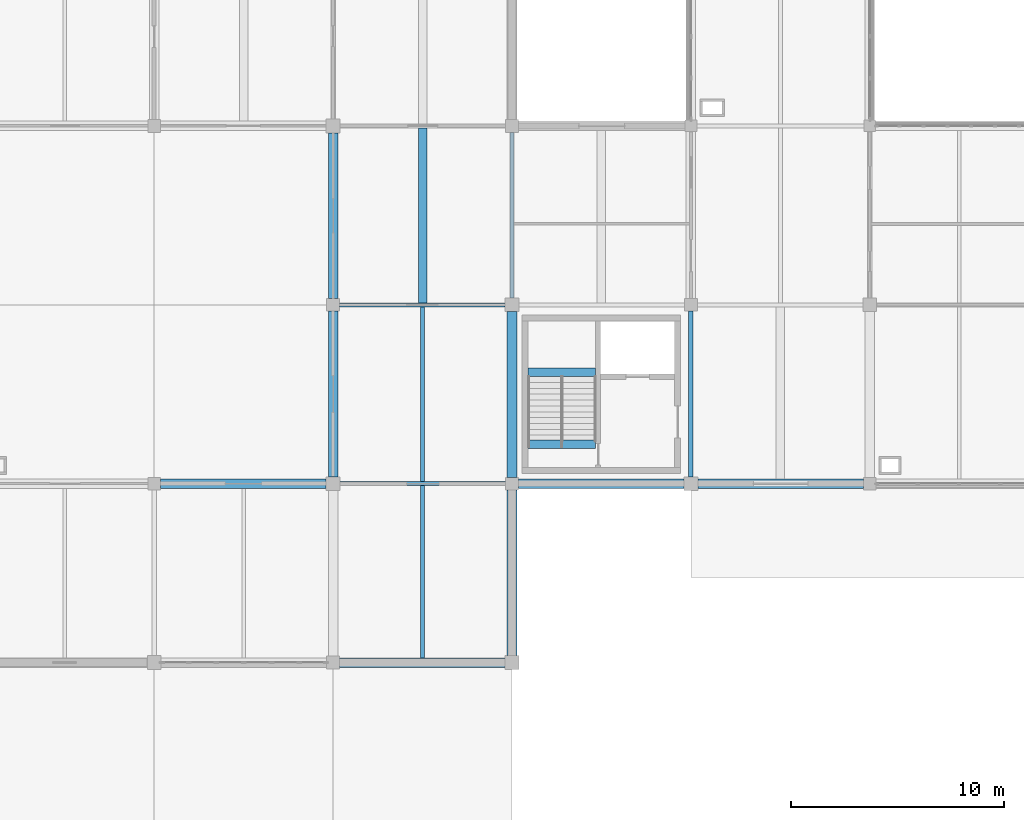
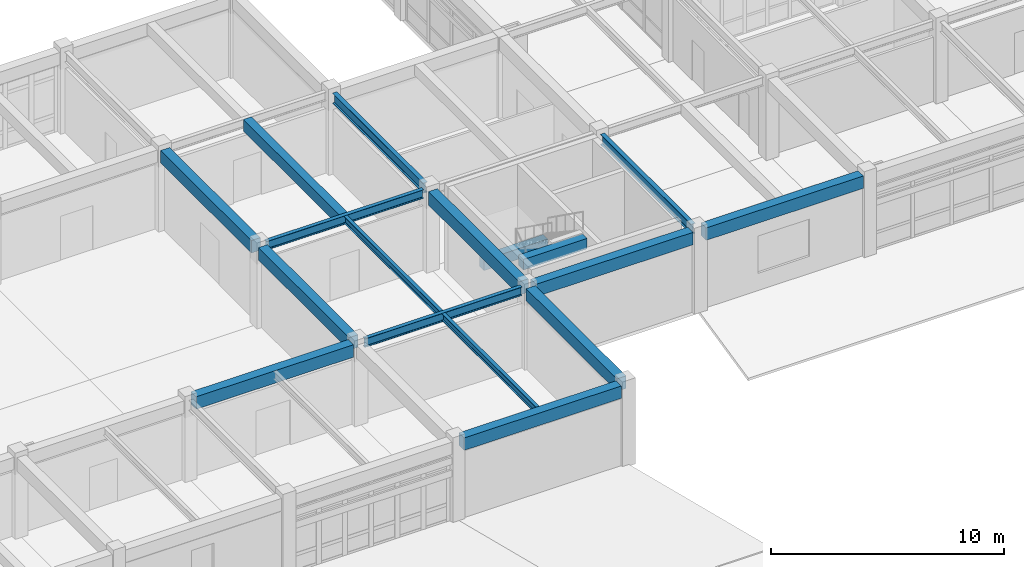
# One storey, part 8 of 78: 17 beams.
"""IFC4 building model written with IfcOpenShell, lengths in metres."""

from ifc_helpers import new_model, si_unit, direction, frame, origin, origin_2d, place, context, subcontext, project, spatial, rectangle, i_section, extrude, material, material_profile, profile_set, type_object, element, save


model = new_model("IFC4")

# Units and contexts
model_context = context("Model", 3, precision=1e-05, world=origin(), true_north=direction((0.0, 1.0)))
body_context = subcontext(model_context, "Body", "Model", "MODEL_VIEW")
ifc_project = project(units=[si_unit("LENGTHUNIT", "METRE"), si_unit("AREAUNIT", "SQUARE_METRE"), si_unit("VOLUMEUNIT", "CUBIC_METRE"), si_unit("PLANEANGLEUNIT", "RADIAN"), si_unit("MASSUNIT", "GRAM", prefix="KILO")], contexts=[model_context])

# Site, building, storey
site_placement = place(None, origin())
site = spatial("IfcSite", under=ifc_project, at=site_placement, CompositionType="ELEMENT")
building_placement = place(site_placement, origin())
building = spatial("IfcBuilding", under=site, at=building_placement, Name="Porcellanite Civic Hall", CompositionType="ELEMENT")
storey_placement = place(building_placement, frame((0.0, 0.0, 10.260009765625)))
storey = spatial("IfcBuildingStorey", under=building, at=storey_placement, Name="L02", CompositionType="ELEMENT", Elevation=10.260009765625)

# Beams
ifc_material_1 = material(Name="Concrete N50 (50 MPa)", Category="concrete")
ifc_material_profile_1 = material_profile(ifc_material_1, rectangle(XDim=0.39990234375, YDim=0.550048828125, at=origin_2d()), Name="RC-400x550")
ifc_profile_set_1 = profile_set([ifc_material_profile_1], Name="Concrete N50 (50 MPa)")
beam_type_1 = type_object("IfcBeamType", Name="BM-RC550", PredefinedType="JOIST", material=ifc_profile_set_1)
for number, where, z_axis, x_axis, name in (
    (1, (109.96044921875, 55.625, 1.885009765625), (1.0, 0.0, 0.0), (0.0, 1.0, 0.0), "Stair landing beam C6 L02"),
    (2, (109.96044921875, 52.25, 3.965087890625), (1.0, 0.0, 0.0), (0.0, 1.0, 0.0), "Stair header beam C6 L02"),
):
    element("IfcBeam", number, at=place(storey_placement, frame(where, z_axis=z_axis, x_axis=x_axis)), inside=storey, type_object=beam_type_1, Name=name, PredefinedType="JOIST", context=body_context, shape_type="SweptSolid", body=[
        extrude(rectangle(XDim=0.39990234375, YDim=0.550048828125, at=origin_2d()), origin(), (0.0, 0.0, 1.0), 3.158935546875),
    ])
ifc_material_2 = material(Name="Concrete N50 (50 MPa)", Category="concrete")
ifc_material_profile_2 = material_profile(ifc_material_2, rectangle(XDim=0.39990234375, YDim=0.60009765625, at=origin_2d()), Name="RC-400x600")
ifc_profile_set_2 = profile_set([ifc_material_profile_2], Name="Concrete N50 (50 MPa)")
beam_type_2 = type_object("IfcBeamType", Name="BM-RC600", PredefinedType="JOIST", material=ifc_profile_set_2)
beam_1_placement = place(storey_placement, frame((105.0, 58.89453125, 3.93994140625), z_axis=(0.0, 1.0, 0.0), x_axis=(-1.0, 0.0, 0.0)))
element("IfcBeam", 3, at=beam_1_placement, inside=storey, type_object=beam_type_2, Name="Secondary joist L02 13-8", PredefinedType="JOIST", context=body_context, shape_type="SweptSolid", body=[
    extrude(rectangle(XDim=0.39990234375, YDim=0.60009765625, at=origin_2d()), origin(), (0.0, 0.0, 1.0), 8.2109375),
])
ifc_material_3 = material(Name="Concrete N50 (50 MPa)", Category="concrete")
ifc_material_profile_3 = material_profile(ifc_material_3, rectangle(XDim=0.449951171875, YDim=0.64990234375, at=origin_2d()), Name="RC-450x650")
ifc_profile_set_3 = profile_set([ifc_material_profile_3], Name="Concrete N50 (50 MPa)")
beam_type_3 = type_object("IfcBeamType", Name="BM-RC650", PredefinedType="SPANDREL", material=ifc_profile_set_3)
beam_2_placement = place(storey_placement, frame((92.699462890625, 50.39990234375, 3.9150390625), z_axis=(1.0, 0.0, 0.0), x_axis=(0.0, 1.0, 0.0)))
element("IfcBeam", 4, at=beam_2_placement, inside=storey, type_object=beam_type_3, Name="Beam X L02 12-7", PredefinedType="SPANDREL", context=body_context, shape_type="SweptSolid", body=[
    extrude(rectangle(XDim=0.449951171875, YDim=0.64990234375, at=origin_2d()), origin(), (0.0, 0.0, 1.0), 7.776123046875),
])
for number, where, z_axis, x_axis, name in (
    (5, (101.099609375, 42.0, 3.9150390625), (1.0, 0.0, 0.0), (0.0, 1.0, 0.0), "Beam X L02 13-6"),
    (6, (109.49951171875, 50.39990234375, 3.9150390625), (1.0, 0.0, 0.0), (0.0, 1.0, 0.0), "Beam X L02 14-7"),
    (7, (117.924560546875, 50.39990234375, 3.9150390625), (1.0, 0.0, 0.0), (0.0, 1.0, 0.0), "Beam X L02 15-7"),
    (8, (100.800048828125, 50.724609375, 3.9150390625), (0.0, 1.0, 0.0), (-1.0, 0.0, 0.0), "Beam Y L02 13-7"),
    (9, (100.800048828125, 59.099609375, 3.9150390625), (0.0, 1.0, 0.0), (-1.0, 0.0, 0.0), "Beam Y L02 13-8"),
):
    element("IfcBeam", number, at=place(storey_placement, frame(where, z_axis=z_axis, x_axis=x_axis)), inside=storey, type_object=beam_type_3, Name=name, PredefinedType="SPANDREL", context=body_context, shape_type="SweptSolid", body=[
        extrude(rectangle(XDim=0.449951171875, YDim=0.64990234375, at=origin_2d()), origin(), (0.0, 0.0, 1.0), 7.77587890625),
    ])
beam_3_placement = place(storey_placement, frame((109.199951171875, 42.324462890625, 3.9150390625), z_axis=(0.0, 1.0, 0.0), x_axis=(-1.0, 0.0, 0.0)))
element("IfcBeam", 10, at=beam_3_placement, inside=storey, type_object=beam_type_3, Name="Beam Y L02 14-6", PredefinedType="SPANDREL", context=body_context, shape_type="SweptSolid", body=[
    extrude(rectangle(XDim=0.449951171875, YDim=0.64990234375, at=origin_2d()), origin(), (0.0, 0.0, 1.0), 7.776123046875),
])
ifc_material_4 = material(Name="Concrete N50 (50 MPa)", Category="concrete")
ifc_material_profile_4 = material_profile(ifc_material_4, rectangle(XDim=0.449951171875, YDim=0.699951171875, at=origin_2d()), Name="RC-450x700")
ifc_profile_set_4 = profile_set([ifc_material_profile_4], Name="Concrete N50 (50 MPa)")
beam_type_4 = type_object("IfcBeamType", Name="BM-RC700", PredefinedType="BEAM", material=ifc_profile_set_4)
beam_4_placement = place(storey_placement, frame((109.199951171875, 50.699462890625, 3.889892578125), z_axis=(0.0, 1.0, 0.0), x_axis=(-1.0, 0.0, 0.0)))
element("IfcBeam", 11, at=beam_4_placement, inside=storey, type_object=beam_type_4, Name="Beam Y L02 14-7", PredefinedType="BEAM", context=body_context, shape_type="SweptSolid", body=[
    extrude(rectangle(XDim=0.449951171875, YDim=0.699951171875, at=origin_2d()), origin(), (0.0, 0.0, 1.0), 7.776123046875),
])
ifc_material_5 = material(Name="Steel Grade 350", Category="steel")
ifc_material_profile_5 = material_profile(ifc_material_5, i_section(OverallWidth=0.1708984375, OverallDepth=0.35595703125, WebThickness=0.00732421875, FlangeThickness=0.011474609375, FilletRadius=0.011474609375, at=origin_2d()), Name="360UB50.7")
ifc_profile_set_5 = profile_set([ifc_material_profile_5], Name="Steel Grade 350")
beam_type_5 = type_object("IfcBeamType", Name="JST-360UB51", PredefinedType="JOIST", material=ifc_profile_set_5)
beam_5_placement = place(storey_placement, frame((105.0, 50.494384765625, 4.06201171875), z_axis=(0.0, 1.0, 0.0), x_axis=(-1.0, 0.0, 0.0)))
element("IfcBeam", 12, at=beam_5_placement, inside=storey, type_object=beam_type_5, Name="Secondary joist L02 13-7", PredefinedType="JOIST", context=body_context, shape_type="SweptSolid", body=[
    extrude(i_section(OverallWidth=0.1708984375, OverallDepth=0.35595703125, WebThickness=0.00732421875, FlangeThickness=0.011474609375, FilletRadius=0.011474609375, at=origin_2d()), origin(), (0.0, 0.0, 1.0), 8.211181640625),
])
ifc_material_6 = material(Name="Steel Grade 350", Category="steel")
ifc_material_profile_6 = material_profile(ifc_material_6, i_section(OverallWidth=0.172119140625, OverallDepth=0.35888671875, WebThickness=0.008056640625, FlangeThickness=0.012939453125, FilletRadius=0.011474609375, at=origin_2d()), Name="360UB56.7")
ifc_profile_set_6 = profile_set([ifc_material_profile_6], Name="Steel Grade 350")
beam_type_6 = type_object("IfcBeamType", Name="JST-360UB57", PredefinedType="JOIST", material=ifc_profile_set_6)
beam_6_placement = place(storey_placement, frame((105.0, 42.224609375, 4.060546875), z_axis=(0.0, 1.0, 0.0), x_axis=(-1.0, 0.0, 0.0)))
element("IfcBeam", 13, at=beam_6_placement, inside=storey, type_object=beam_type_6, Name="Secondary joist L02 13-6", PredefinedType="JOIST", context=body_context, shape_type="SweptSolid", body=[
    extrude(i_section(OverallWidth=0.172119140625, OverallDepth=0.35888671875, WebThickness=0.008056640625, FlangeThickness=0.012939453125, FilletRadius=0.011474609375, at=origin_2d()), origin(), (0.0, 0.0, 1.0), 8.080810546875),
])
ifc_material_7 = material(Name="Steel Grade 350", Category="steel")
ifc_material_profile_7 = material_profile(ifc_material_7, i_section(OverallWidth=0.18994140625, OverallDepth=0.4541015625, WebThickness=0.008544921875, FlangeThickness=0.0126953125, FilletRadius=0.011474609375, at=origin_2d()), Name="460UB67.1")
ifc_profile_set_7 = profile_set([ifc_material_profile_7], Name="Steel Grade 350")
beam_type_7 = type_object("IfcBeamType", Name="RAF-460UB67", PredefinedType="BEAM", material=ifc_profile_set_7)
for number, where, z_axis, x_axis, name in (
    (14, (101.12451171875, 50.39990234375, 4.012939453125), (1.0, 0.0, 0.0), (0.0, 1.0, 0.0), "Beam X L02 13-7"),
    (15, (101.099609375, 58.800048828125, 4.012939453125), (1.0, 0.0, 0.0), (0.0, 1.0, 0.0), "Beam X L02 13-8"),
):
    element("IfcBeam", number, at=place(storey_placement, frame(where, z_axis=z_axis, x_axis=x_axis)), inside=storey, type_object=beam_type_7, Name=name, PredefinedType="BEAM", context=body_context, shape_type="SweptSolid", body=[
        extrude(i_section(OverallWidth=0.18994140625, OverallDepth=0.4541015625, WebThickness=0.008544921875, FlangeThickness=0.0126953125, FilletRadius=0.011474609375, at=origin_2d()), origin(), (0.0, 0.0, 1.0), 7.77587890625),
    ])
ifc_material_8 = material(Name="Steel Grade 350", Category="steel")
ifc_material_profile_8 = material_profile(ifc_material_8, i_section(OverallWidth=0.208984375, OverallDepth=0.528076171875, WebThickness=0.009521484375, FlangeThickness=0.01318359375, FilletRadius=0.013916015625, at=origin_2d()), Name="530UB82.0")
ifc_profile_set_8 = profile_set([ifc_material_profile_8], Name="Steel Grade 350")
beam_type_8 = type_object("IfcBeamType", Name="RAF-530UB82", PredefinedType="BEAM", material=ifc_profile_set_8)
for number, where, z_axis, x_axis, name in (
    (16, (109.199951171875, 59.12451171875, 3.97607421875), (0.0, 1.0, 0.0), (-1.0, 0.0, 0.0), "Beam Y L02 14-8"),
    (17, (117.60009765625, 50.724609375, 3.97607421875), (0.0, 1.0, 0.0), (-1.0, 0.0, 0.0), "Beam Y L02 15-7"),
):
    element("IfcBeam", number, at=place(storey_placement, frame(where, z_axis=z_axis, x_axis=x_axis)), inside=storey, type_object=beam_type_8, Name=name, PredefinedType="BEAM", context=body_context, shape_type="SweptSolid", body=[
        extrude(i_section(OverallWidth=0.208984375, OverallDepth=0.528076171875, WebThickness=0.009521484375, FlangeThickness=0.01318359375, FilletRadius=0.013916015625, at=origin_2d()), origin(), (0.0, 0.0, 1.0), 7.77587890625),
    ])

save(model, "model.ifc")
